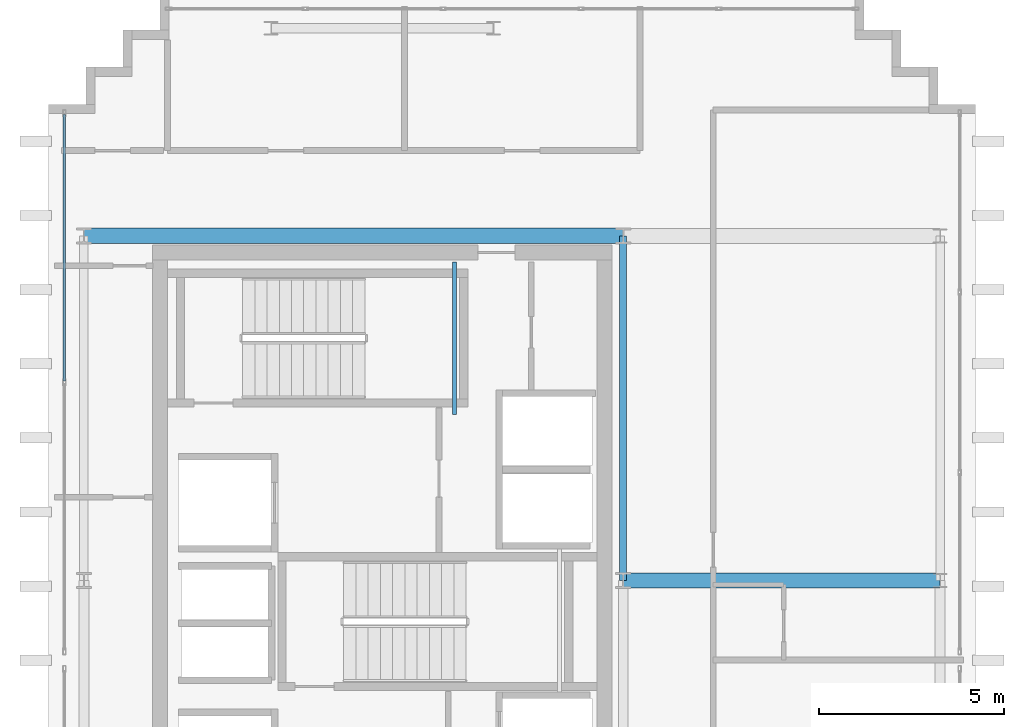
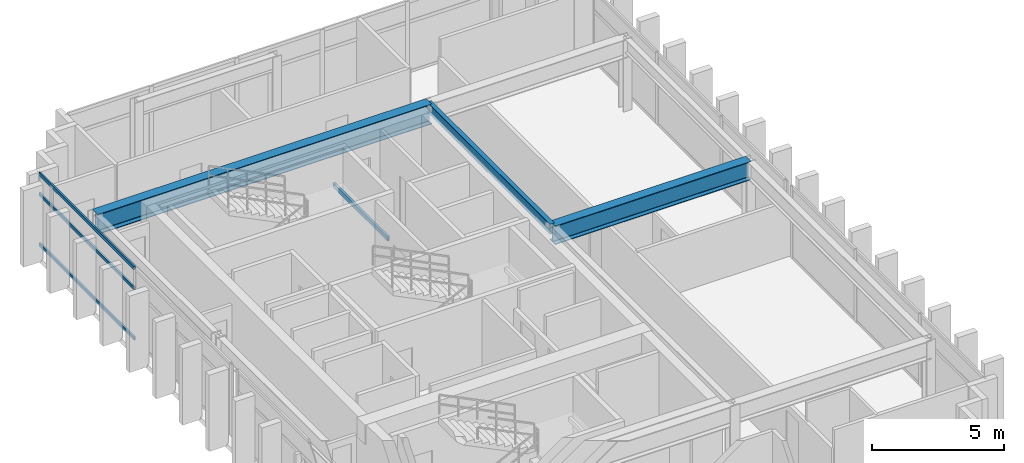
# One storey, part 7 of 15: 4 beams, 3 members, 1 element without a shape of its own.
"""IFC4 building model written with IfcOpenShell, lengths in metres."""

from ifc_helpers import new_model, si_unit, direction, frame, origin, origin_2d, place, context, subcontext, project, spatial, hollow_rectangle, i_section, extrude, source, transform, mapped, material, layer, layer_set, material_profile, profile_set, type_object, element, aggregate, save


model = new_model("IFC4")

# Units and contexts
model_context = context("Model", 3, precision=1e-05, world=origin(), true_north=direction((0.0, 1.0)))
body_context = subcontext(model_context, "Body", "Model", "MODEL_VIEW")
ifc_project = project(units=[si_unit("LENGTHUNIT", "METRE"), si_unit("AREAUNIT", "SQUARE_METRE"), si_unit("VOLUMEUNIT", "CUBIC_METRE"), si_unit("PLANEANGLEUNIT", "RADIAN"), si_unit("MASSUNIT", "GRAM", prefix="KILO")], contexts=[model_context])

# Site, building, storey
site_placement = place(None, origin())
site = spatial("IfcSite", under=ifc_project, at=site_placement, CompositionType="ELEMENT")
building_placement = place(site_placement, origin())
building = spatial("IfcBuilding", under=site, at=building_placement, Name="Ocotamira Hotel", CompositionType="ELEMENT")
storey_placement = place(building_placement, frame((0.0, 0.0, 297.60009765625)))
storey = spatial("IfcBuildingStorey", under=building, at=storey_placement, Name="L76", CompositionType="ELEMENT", Elevation=297.60009765625)

# Beams
ifc_material_1 = material(Name="Steel ASTM A500 Grade C", Category="steel")
ifc_material_profile_1 = material_profile(ifc_material_1, hollow_rectangle(XDim=0.10009765625, YDim=0.199951171875, WallThickness=0.008056640625, at=origin_2d()), Name="HSS200X100X8")
ifc_profile_set_1 = profile_set([ifc_material_profile_1], Name="Steel ASTM A500 Grade C")
beam_type_1 = type_object("IfcBeamType", Name="BM-STLDG-HSS200", PredefinedType="BEAM", material=ifc_profile_set_1)
shared_shape_1 = source(origin(), body_context, "Body", "SweptSolid", [
    extrude(hollow_rectangle(XDim=0.10009765625, YDim=0.199951171875, WallThickness=0.008056640625, at=origin_2d()), origin(), (0.0, 0.0, 1.0), 4.1201171875),
])
beam_1_placement = place(storey_placement, frame((18.949951171875, 32.6298828125, 1.5), z_axis=(0.0, 1.0, 0.0), x_axis=(-1.0, 0.0, 0.0)))
element("IfcBeam", 1, at=beam_1_placement, inside=storey, type_object=beam_type_1, Name="L76 Stair ST-2 Landing Bearer 1", PredefinedType="BEAM", context=body_context, shape_type="MappedRepresentation", body=[
    mapped(shared_shape_1, transform((0.0, 0.0, 0.0), scale=1.0)),
])
ifc_material_2 = material(Name="Steel ASTM A992 Grade 50", Category="steel")
ifc_material_profile_2 = material_profile(ifc_material_2, i_section(OverallWidth=0.41796875, OverallDepth=0.927001953125, WebThickness=0.019287109375, FlangeThickness=0.031982421875, FilletRadius=0.02392578125, at=origin_2d()), Name="W36X231")
ifc_profile_set_2 = profile_set([ifc_material_profile_2], Name="Steel ASTM A992 Grade 50")
beam_type_2 = type_object("IfcBeamType", Name="BM-GIRD-W36X231", PredefinedType="BEAM", material=ifc_profile_set_2)
shared_shape_2 = source(origin(), body_context, "Body", "SweptSolid", [
    extrude(i_section(OverallWidth=0.41796875, OverallDepth=0.927001953125, WebThickness=0.019287109375, FlangeThickness=0.031982421875, FilletRadius=0.02392578125, at=origin_2d()), origin(), (0.0, 0.0, 1.0), 14.550048828125),
])
beam_2_placement = place(storey_placement, frame((8.949951171875, 37.449951171875, 2.8564453125), z_axis=(1.0, 0.0, 0.0), x_axis=(0.0, 1.0, 0.0)))
element("IfcBeam", 2, at=beam_2_placement, inside=storey, type_object=beam_type_2, Name="L76 Girder Y37.45 X8.95-23.5", PredefinedType="BEAM", context=body_context, shape_type="MappedRepresentation", body=[
    mapped(shared_shape_2, transform((0.0, 0.0, 0.0), scale=1.0)),
])
ifc_material_profile_3 = material_profile(ifc_material_2, i_section(OverallWidth=0.18994140625, OverallDepth=0.45703125, WebThickness=0.009033203125, FlangeThickness=0.014404296875, FilletRadius=0.010009765625, at=origin_2d()), Name="W18X50")
ifc_profile_set_3 = profile_set([ifc_material_profile_3], Name="Steel ASTM A992 Grade 50")
beam_type_3 = type_object("IfcBeamType", Name="BM-SEC-W18X50", PredefinedType="JOIST", material=ifc_profile_set_3)
shared_shape_3 = source(origin(), body_context, "Body", "SweptSolid", [
    extrude(i_section(OverallWidth=0.18994140625, OverallDepth=0.45703125, WebThickness=0.009033203125, FlangeThickness=0.014404296875, FilletRadius=0.010009765625, at=origin_2d()), origin(), (0.0, 0.0, 1.0), 9.300048828125),
])
beam_3_placement = place(storey_placement, frame((23.5, 28.14990234375, 3.09130859375), z_axis=(0.0, 1.0, 0.0), x_axis=(-1.0, 0.0, 0.0)))
element("IfcBeam", 3, at=beam_3_placement, inside=storey, type_object=beam_type_3, Name="L76 Beam X23.5 Y28.15-37.45", PredefinedType="JOIST", context=body_context, shape_type="MappedRepresentation", body=[
    mapped(shared_shape_3, transform((0.0, 0.0, 0.0), scale=1.0)),
])
ifc_material_profile_4 = material_profile(ifc_material_2, i_section(OverallWidth=0.39990234375, OverallDepth=0.85595703125, WebThickness=0.018310546875, FlangeThickness=0.029296875, FilletRadius=0.02001953125, at=origin_2d()), Name="W33X201")
ifc_profile_set_4 = profile_set([ifc_material_profile_4], Name="Steel ASTM A992 Grade 50")
beam_type_4 = type_object("IfcBeamType", Name="BM-GIRD-W33X201", PredefinedType="BEAM", material=ifc_profile_set_4)
shared_shape_4 = source(origin(), body_context, "Body", "SweptSolid", [
    extrude(i_section(OverallWidth=0.39990234375, OverallDepth=0.85595703125, WebThickness=0.018310546875, FlangeThickness=0.029296875, FilletRadius=0.02001953125, at=origin_2d()), origin(), (0.0, 0.0, 1.0), 8.550048828125),
])
beam_4_placement = place(storey_placement, frame((23.5, 28.14990234375, 2.891845703125), z_axis=(1.0, 0.0, 0.0), x_axis=(0.0, 1.0, 0.0)))
element("IfcBeam", 4, at=beam_4_placement, inside=storey, type_object=beam_type_4, Name="L76 Girder Y28.15 X23.5-32.05", PredefinedType="BEAM", context=body_context, shape_type="MappedRepresentation", body=[
    mapped(shared_shape_4, transform((0.0, 0.0, 0.0), scale=1.0)),
])

# Curtain wall, members
ifc_material_3 = material(Name="Anodised pale-metal aluminium and solar glass", Category="aluminium")
ifc_layer = layer(ifc_material_3, 0.2099609375)
ifc_layer_set = layer_set([ifc_layer], Name="Anodised pale-metal aluminium and solar glass")
curtain_wall_type = type_object("IfcCurtainWallType", Name="CW-SYS7-PEAK", PredefinedType="NOTDEFINED", material=ifc_layer_set)
curtain_wall_placement = place(storey_placement, origin())
curtain_wall = element("IfcCurtainWall", 5, at=curtain_wall_placement, inside=storey, type_object=curtain_wall_type, Name="L76 Curtain Wall CW-7 CW-L76-W2", PredefinedType="NOTDEFINED")
ifc_material_4 = material(Name="Anodised pale-metal aluminium 6063-T6", Category="aluminium")
ifc_material_profile_5 = material_profile(ifc_material_4, hollow_rectangle(XDim=0.074951171875, YDim=0.14990234375, WallThickness=0.006103515625, at=origin_2d()), Name="HSS150X75X6")
ifc_profile_set_5 = profile_set([ifc_material_profile_5], Name="Anodised pale-metal aluminium 6063-T6")
member_type = type_object("IfcMemberType", Name="CWT-150X75", PredefinedType="USERDEFINED", material=ifc_profile_set_5)
shared_shape_5 = source(origin(), body_context, "Body", "SweptSolid", [
    extrude(hollow_rectangle(XDim=0.074951171875, YDim=0.14990234375, WallThickness=0.006103515625, at=origin_2d()), origin(), (0.0, 0.0, 1.0), 7.179931640625),
])
member_1_placement = place(storey_placement, frame((8.419921875, 33.5400390625, 0.037353515625), z_axis=(0.0, 1.0, 0.0), x_axis=(-1.0, 0.0, 0.0)))
member_1 = element("IfcMember", 6, at=member_1_placement, type_object=member_type, Name="CW-7 transom 2.1", ObjectType="TRANSOM", PredefinedType="USERDEFINED", context=body_context, shape_type="MappedRepresentation", body=[
    mapped(shared_shape_5, transform((0.0, 0.0, 0.0), scale=1.0)),
])
member_2_placement = place(storey_placement, frame((8.419921875, 33.5400390625, 2.349853515625), z_axis=(0.0, 1.0, 0.0), x_axis=(-1.0, 0.0, 0.0)))
member_2 = element("IfcMember", 7, at=member_2_placement, type_object=member_type, Name="CW-7 transom 2.2", ObjectType="TRANSOM", PredefinedType="USERDEFINED", context=body_context, shape_type="MappedRepresentation", body=[
    mapped(shared_shape_5, transform((0.0, 0.0, 0.0), scale=1.0)),
])
member_3_placement = place(storey_placement, frame((8.419921875, 33.5400390625, 3.282470703125), z_axis=(0.0, 1.0, 0.0), x_axis=(-1.0, 0.0, 0.0)))
member_3 = element("IfcMember", 8, at=member_3_placement, type_object=member_type, Name="CW-7 transom 2.3", ObjectType="TRANSOM", PredefinedType="USERDEFINED", context=body_context, shape_type="MappedRepresentation", body=[
    mapped(shared_shape_5, transform((0.0, 0.0, 0.0), scale=1.0)),
])
aggregate(curtain_wall, [member_1, member_2, member_3])

save(model, "model.ifc")
